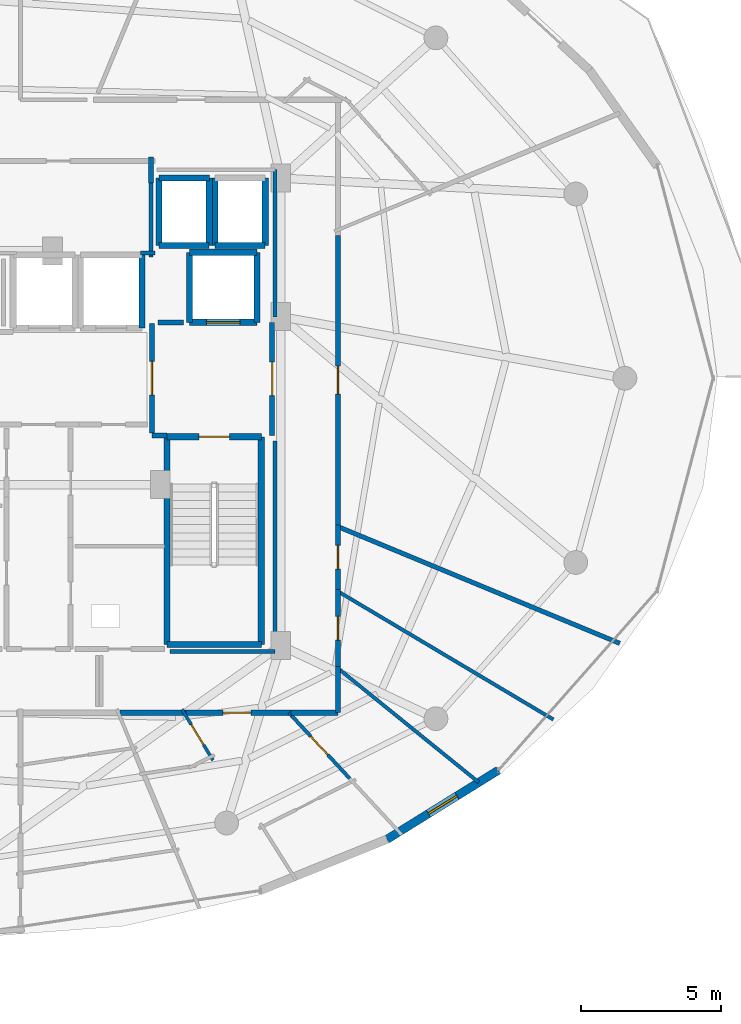
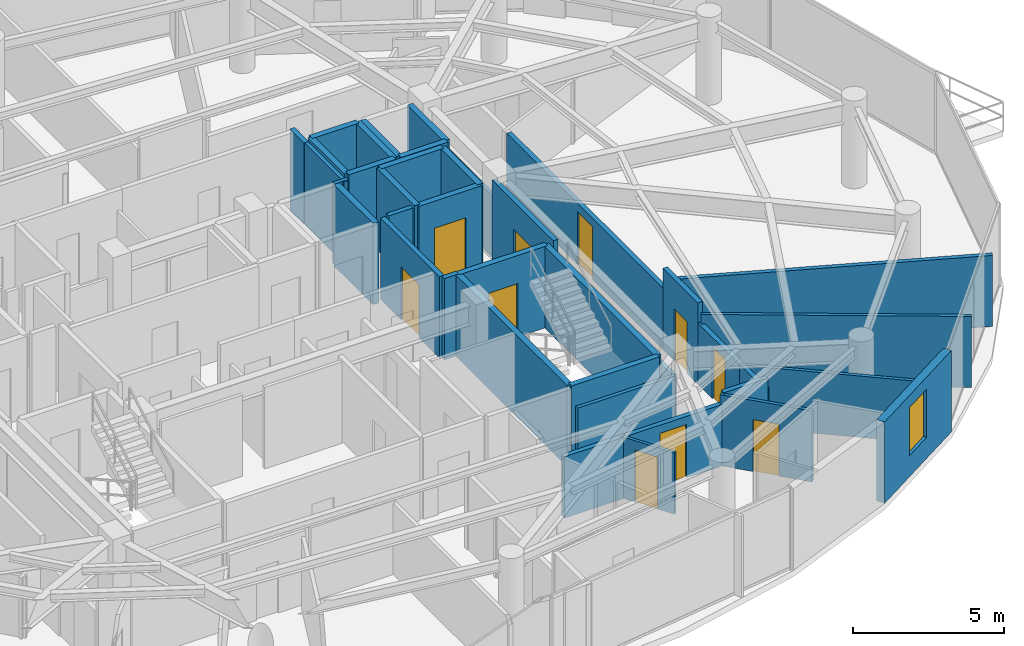
# One storey, part 27 of 32: 39 walls, 10 doors, 1 window, 11 openings.
"""IFC4 building model written with IfcOpenShell, lengths in metres."""

from ifc_helpers import new_model, si_unit, direction, frame, frame_2d, origin, place, context, subcontext, project, spatial, rectangle, extrude, material, layer, layer_set, type_object, element, fill, save


model = new_model("IFC4")

# Units and contexts
model_context = context("Model", 3, precision=1e-05, world=origin(), true_north=direction((0.0, 1.0)))
body_context = subcontext(model_context, "Body", "Model", "MODEL_VIEW")
ifc_project = project(units=[si_unit("LENGTHUNIT", "METRE"), si_unit("AREAUNIT", "SQUARE_METRE"), si_unit("VOLUMEUNIT", "CUBIC_METRE"), si_unit("PLANEANGLEUNIT", "RADIAN"), si_unit("MASSUNIT", "GRAM", prefix="KILO")], contexts=[model_context])

# Site, building, storey
site_placement = place(None, origin())
site = spatial("IfcSite", under=ifc_project, at=site_placement, CompositionType="ELEMENT")
building_placement = place(site_placement, origin())
building = spatial("IfcBuilding", under=site, at=building_placement, Name="Vorneva Point Tower", CompositionType="ELEMENT")
storey_placement = place(building_placement, frame((0.0, 0.0, 269.75)))
storey = spatial("IfcBuildingStorey", under=building, at=storey_placement, Name="L73", CompositionType="ELEMENT", Elevation=269.75)

# Wall, opening, door
ifc_material_1 = material(Name="Concrete B60 (C50/60)", Category="concrete")
ifc_layer_1 = layer(ifc_material_1, 0.35009765625)
ifc_layer_set_1 = layer_set([ifc_layer_1], Name="Concrete B60 (C50/60)")
wall_type_1 = type_object("IfcWallType", Name="WL-CORE-350", PredefinedType="SHEAR", material=ifc_layer_set_1)
wall_1_placement = place(storey_placement, frame((45.5, 28.0, 0.0), z_axis=(0.0, 0.0, 1.0), x_axis=(1.0, 0.0, 0.0)))
wall_1 = element("IfcWall", 1, at=wall_1_placement, inside=storey, type_object=wall_type_1, Name="L73 Lift FFL2 Shaft Wall -Y", PredefinedType="SHEAR", context=body_context, shape_type="SweptSolid", body=[
    extrude(rectangle(XDim=2.39990234375, YDim=0.219970703125, at=frame_2d((1.199951171875, 0.0))), origin(), (0.0, 0.0, 1.0), 3.2900390625),
])
opening_1_placement = place(wall_1_placement, frame((0.60009765625, 0.0, 0.0)))
opening_1 = element("IfcOpeningElement", 2, at=opening_1_placement, cuts=wall_1, Name="Opening LD-02", PredefinedType="OPENING", context=body_context, shape_type="SweptSolid", body=[
    extrude(rectangle(XDim=1.199951171875, YDim=2.199951171875, at=frame_2d((0.60009765625, 1.10009765625))), frame((0.0, 0.125, 0.0), z_axis=(0.0, -1.0, 0.0), x_axis=(1.0, 0.0, 0.0)), (0.0, 0.0, 1.0), 0.249755859375),
])
ifc_material_2 = material(Name="Brushed stainless steel S304", Category="steel")
door_type_1 = type_object("IfcDoorType", Name="LD-FIRE-1200", OperationType="SLIDING_TO_LEFT", PredefinedType="DOOR", material=ifc_material_2)
door_1_placement = place(opening_1_placement, origin())
door_1 = element("IfcDoor", 3, at=door_1_placement, inside=storey, type_object=door_type_1, Name="L73 Lift FFL2 Sliding Landing Door", OperationType="SLIDING_TO_LEFT", OverallHeight=2.199951171875, OverallWidth=1.199951171875, PredefinedType="DOOR", context=body_context, shape_type="SweptSolid", body=[
    extrude(rectangle(XDim=1.199951171875, YDim=2.199951171875, at=frame_2d((0.60009765625, 1.10009765625))), frame((0.0, 0.02490234375, 0.0), z_axis=(0.0, -1.0, 0.0), x_axis=(1.0, 0.0, 0.0)), (0.0, 0.0, 1.0), 0.050048828125),
])
fill(opening_1, door_1)

# Walls
wall_2_placement = place(storey_placement, frame((47.89990234375, 28.0, 0.0), z_axis=(0.0, 0.0, 1.0), x_axis=(0.0, 1.0, 0.0)))
element("IfcWall", 4, at=wall_2_placement, inside=storey, type_object=wall_type_1, Name="L73 Lift FFL2 Shaft Wall +X", PredefinedType="SHEAR", context=body_context, shape_type="SweptSolid", body=[
    extrude(rectangle(XDim=2.5, YDim=0.219970703125, at=frame_2d((1.25, 0.0))), origin(), (0.0, 0.0, 1.0), 3.2900390625),
])
wall_3_placement = place(storey_placement, frame((47.89990234375, 30.5, 0.0), z_axis=(0.0, 0.0, 1.0), x_axis=(-1.0, 0.0, 0.0)))
element("IfcWall", 5, at=wall_3_placement, inside=storey, type_object=wall_type_1, Name="L73 Lift FFL2 Shaft Wall +Y", PredefinedType="SHEAR", context=body_context, shape_type="SweptSolid", body=[
    extrude(rectangle(XDim=2.39990234375, YDim=0.219970703125, at=frame_2d((1.199951171875, 0.0))), origin(), (0.0, 0.0, 1.0), 3.2900390625),
])
wall_4_placement = place(storey_placement, frame((45.5, 30.5, 0.0), z_axis=(0.0, 0.0, 1.0), x_axis=(0.0, -1.0, 0.0)))
element("IfcWall", 6, at=wall_4_placement, inside=storey, type_object=wall_type_1, Name="L73 Lift FFL2 Shaft Wall -X", PredefinedType="SHEAR", context=body_context, shape_type="SweptSolid", body=[
    extrude(rectangle(XDim=2.5, YDim=0.219970703125, at=frame_2d((1.25, 0.0))), origin(), (0.0, 0.0, 1.0), 3.2900390625),
])

# Wall, opening, window
ifc_material_3 = material(Name="Precast concrete B50 (C40/50)", Category="concrete")
ifc_layer_2 = layer(ifc_material_3, 0.300048828125)
ifc_layer_set_2 = layer_set([ifc_layer_2], Name="Precast concrete B50 (C40/50)")
wall_type_2 = type_object("IfcWallType", Name="WL-EXT-300", PredefinedType="STANDARD", material=ifc_layer_set_2)
wall_5_placement = place(storey_placement, frame((52.555908203125, 9.528564453125, 0.0), z_axis=(0.0, 0.0, 1.0), x_axis=(0.849702323036, 0.527262707032, 0.0)))
wall_5 = element("IfcWall", 7, at=wall_5_placement, inside=storey, type_object=wall_type_2, Name="L73 Pale-Metal Facade Spandrel Wall 14.2", PredefinedType="STANDARD", context=body_context, shape_type="SweptSolid", body=[
    extrude(rectangle(XDim=4.67236328125, YDim=0.300048828125, at=frame_2d((2.336181640625, 0.0))), origin(), (0.0, 0.0, 1.0), 3.2900390625),
])
opening_2_placement = place(wall_5_placement, frame((1.736328125, 0.0, 0.85009765625)))
opening_2 = element("IfcOpeningElement", 8, at=opening_2_placement, cuts=wall_5, Name="Opening W-04", PredefinedType="OPENING", context=body_context, shape_type="SweptSolid", body=[
    extrude(rectangle(XDim=1.199951171875, YDim=1.949951171875, at=frame_2d((0.60009765625, 0.97509765625))), frame((0.0, 0.1650390625, 0.0), z_axis=(0.0, -1.0, 0.0), x_axis=(1.0, 0.0, 0.0)), (0.0, 0.0, 1.0), 0.329833984375),
])
ifc_material_4 = material(Name="Double low-e laminated glass IGU", Category="glass")
window_type = type_object("IfcWindowType", Name="WN-RES-1200", PartitioningType="SINGLE_PANEL", PredefinedType="WINDOW", material=ifc_material_4)
window_placement = place(opening_2_placement, origin())
window = element("IfcWindow", 9, at=window_placement, inside=storey, type_object=window_type, Name="L73 Dwelling Vision Window 03", OverallHeight=1.949951171875, OverallWidth=1.199951171875, PartitioningType="SINGLE_PANEL", PredefinedType="WINDOW", context=body_context, shape_type="SweptSolid", body=[
    extrude(rectangle(XDim=1.199951171875, YDim=1.949951171875, at=frame_2d((0.60009765625, 0.97509765625))), frame((0.0, 0.030029296875, 0.0), z_axis=(0.0, -1.0, 0.0), x_axis=(1.0, 0.0, 0.0)), (0.0, 0.0, 1.0), 0.06005859375),
])
fill(opening_2, window)

# Wall, opening, door
ifc_material_5 = material(Name="Fire-rated acoustic gypsum stud partition", Category="gypsum")
ifc_layer_3 = layer(ifc_material_5, 0.110107421875)
ifc_layer_set_3 = layer_set([ifc_layer_3], Name="Fire-rated acoustic gypsum stud partition")
wall_type_3 = type_object("IfcWallType", Name="WL-PART-110", PredefinedType="PARTITIONING", material=ifc_layer_set_3)
wall_6_placement = place(storey_placement, frame((45.22412109375, 14.16943359375, 0.0), z_axis=(0.0, 0.0, 1.0), x_axis=(0.52123627541, -0.853412412141, 0.0)))
wall_6 = element("IfcWall", 10, at=wall_6_placement, inside=storey, type_object=wall_type_3, Name="L73 Interior Partition 116", PredefinedType="PARTITIONING", context=body_context, shape_type="SweptSolid", body=[
    extrude(rectangle(XDim=2.12548828125, YDim=0.110107421875, at=frame_2d((1.062744140625, 0.0))), origin(), (0.0, 0.0, 1.0), 2.48193359375),
])
opening_3_placement = place(wall_6_placement, frame((0.6376953125, 0.0, 0.0)))
opening_3 = element("IfcOpeningElement", 11, at=opening_3_placement, cuts=wall_6, Name="Opening ID-02", PredefinedType="OPENING", context=body_context, shape_type="SweptSolid", body=[
    extrude(rectangle(XDim=0.85009765625, YDim=2.10009765625, at=frame_2d((0.425048828125, 1.050048828125))), frame((0.0, 0.06982421875, 0.0), z_axis=(0.0, -1.0, 0.0), x_axis=(1.0, 0.0, 0.0)), (0.0, 0.0, 1.0), 0.139892578125),
])
ifc_material_6 = material(Name="Engineered oak fire-rated door leaf", Category="wood")
door_type_2 = type_object("IfcDoorType", Name="DR-BATH-850", OperationType="NOTDEFINED", PredefinedType="DOOR", material=ifc_material_6)
door_2_placement = place(opening_3_placement, origin())
door_2 = element("IfcDoor", 12, at=door_2_placement, inside=storey, type_object=door_type_2, Name="L73 Door Living and Dining Room L73-07 / Bathroom L73-07", OperationType="SINGLE_SWING_RIGHT", OverallHeight=2.10009765625, OverallWidth=0.85009765625, PredefinedType="DOOR", context=body_context, shape_type="SweptSolid", body=[
    extrude(rectangle(XDim=0.85009765625, YDim=2.10009765625, at=frame_2d((0.425048828125, 1.050048828125))), frame((0.0, 0.02490234375, 0.0), z_axis=(0.0, -1.0, 0.0), x_axis=(1.0, 0.0, 0.0)), (0.0, 0.0, 1.0), 0.050048828125),
])
fill(opening_3, door_2)

ifc_layer_4 = layer(ifc_material_5, 0.125)
ifc_layer_set_4 = layer_set([ifc_layer_4], Name="Fire-rated acoustic gypsum stud partition")
wall_type_4 = type_object("IfcWallType", Name="WL-PART-125", PredefinedType="PARTITIONING", material=ifc_layer_set_4)
wall_7_placement = place(storey_placement, frame((51.21435546875, 11.7041015625, 0.0), z_axis=(0.0, 0.0, 1.0), x_axis=(-0.678781449794, 0.734340345763, 0.0)))
wall_7 = element("IfcWall", 13, at=wall_7_placement, inside=storey, type_object=wall_type_4, Name="L73 Interior Partition 122", PredefinedType="PARTITIONING", context=body_context, shape_type="SweptSolid", body=[
    extrude(rectangle(XDim=3.194580078125, YDim=0.125, at=frame_2d((1.59716796875, 0.0))), origin(), (0.0, 0.0, 1.0), 2.8740234375),
])
opening_4_placement = place(wall_7_placement, frame((1.147216796875, 0.0, 0.0)))
opening_4 = element("IfcOpeningElement", 14, at=opening_4_placement, cuts=wall_7, Name="Opening ID-01", PredefinedType="OPENING", context=body_context, shape_type="SweptSolid", body=[
    extrude(rectangle(XDim=0.89990234375, YDim=2.10009765625, at=frame_2d((0.449951171875, 1.050048828125))), frame((0.0, 0.077392578125, 0.0), z_axis=(0.0, -1.0, 0.0), x_axis=(1.0, 0.0, 0.0)), (0.0, 0.0, 1.0), 0.15478515625),
])
door_type_3 = type_object("IfcDoorType", Name="DR-ROOM-900", OperationType="NOTDEFINED", PredefinedType="DOOR", material=ifc_material_6)
door_3_placement = place(opening_4_placement, origin())
door_3 = element("IfcDoor", 15, at=door_3_placement, inside=storey, type_object=door_type_3, Name="L73 Door Living and Dining Room L73-07 / Master Bedroom L73-07.1", OperationType="SINGLE_SWING_RIGHT", OverallHeight=2.10009765625, OverallWidth=0.89990234375, PredefinedType="DOOR", context=body_context, shape_type="SweptSolid", body=[
    extrude(rectangle(XDim=0.89990234375, YDim=2.10009765625, at=frame_2d((0.449951171875, 1.050048828125))), frame((0.0, 0.02490234375, 0.0), z_axis=(0.0, -1.0, 0.0), x_axis=(1.0, 0.0, 0.0)), (0.0, 0.0, 1.0), 0.050048828125),
])
fill(opening_4, door_3)

# Walls
wall_8_placement = place(storey_placement, frame((55.827880859375, 11.56298828125, 0.0), z_axis=(0.0, 0.0, 1.0), x_axis=(-0.777103372697, 0.62937298015, 0.0)))
element("IfcWall", 16, at=wall_8_placement, inside=storey, type_object=wall_type_4, Name="L73 Interior Partition 123", PredefinedType="PARTITIONING", context=body_context, shape_type="SweptSolid", body=[
    extrude(rectangle(XDim=6.469970703125, YDim=0.125, at=frame_2d((3.23486328125, 0.0))), origin(), (0.0, 0.0, 1.0), 2.48193359375),
])
wall_9_placement = place(storey_placement, frame((58.492919921875, 13.80810546875, 0.0), z_axis=(0.0, 0.0, 1.0), x_axis=(-0.859400180079, 0.511303560011, 0.0)))
element("IfcWall", 17, at=wall_9_placement, inside=storey, type_object=wall_type_4, Name="L73 Interior Partition 124", PredefinedType="PARTITIONING", context=body_context, shape_type="SweptSolid", body=[
    extrude(rectangle(XDim=8.951416015625, YDim=0.125, at=frame_2d((4.4755859375, 0.0))), origin(), (0.0, 0.0, 1.0), 2.8740234375),
])
ifc_layer_5 = layer(ifc_material_5, 0.139892578125)
ifc_layer_set_5 = layer_set([ifc_layer_5], Name="Fire-rated acoustic gypsum stud partition")
wall_type_5 = type_object("IfcWallType", Name="WL-PART-140", PredefinedType="PARTITIONING", material=ifc_layer_set_5)
wall_10_placement = place(storey_placement, frame((43.735107421875, 30.47998046875, 0.0), z_axis=(0.0, 0.0, 1.0), x_axis=(1.0, 0.0, 0.0)))
element("IfcWall", 18, at=wall_10_placement, inside=storey, type_object=wall_type_5, Name="L73 Interior Closure Partition 129", PredefinedType="PARTITIONING", context=body_context, shape_type="SweptSolid", body=[
    extrude(rectangle(XDim=0.52490234375, YDim=0.139892578125, at=frame_2d((0.262451171875, 0.0))), origin(), (0.0, 0.0, 1.0), 3.2900390625),
])
wall_11_placement = place(storey_placement, frame((44.1201171875, 30.340087890625, 0.0), z_axis=(0.0, 0.0, 1.0), x_axis=(0.0, 1.0, 0.0)))
element("IfcWall", 19, at=wall_11_placement, inside=storey, type_object=wall_type_5, Name="L73 Interior Closure Partition 130", PredefinedType="PARTITIONING", context=body_context, shape_type="SweptSolid", body=[
    extrude(rectangle(XDim=2.659912109375, YDim=0.139892578125, at=frame_2d((1.330078125, 0.0))), origin(), (0.0, 0.0, 1.0), 3.2900390625),
])
wall_12_placement = place(storey_placement, frame((44.804931640625, 16.239990234375, 0.0), z_axis=(0.0, 0.0, 1.0), x_axis=(1.0, 0.0, 0.0)))
element("IfcWall", 20, at=wall_12_placement, inside=storey, type_object=wall_type_5, Name="L73 Interior Closure Partition 141", PredefinedType="PARTITIONING", context=body_context, shape_type="SweptSolid", body=[
    extrude(rectangle(XDim=3.7451171875, YDim=0.139892578125, at=frame_2d((1.87255859375, 0.0))), origin(), (0.0, 0.0, 1.0), 2.48193359375),
])
wall_13_placement = place(storey_placement, frame((48.550048828125, 16.239990234375, 0.0), z_axis=(0.0, 0.0, 1.0), x_axis=(0.0, 1.0, 0.0)))
element("IfcWall", 21, at=wall_13_placement, inside=storey, type_object=wall_type_5, Name="L73 Interior Closure Partition 142", PredefinedType="PARTITIONING", context=body_context, shape_type="SweptSolid", body=[
    extrude(rectangle(XDim=7.513916015625, YDim=0.139892578125, at=frame_2d((3.7568359375, 0.0))), origin(), (0.0, 0.0, 1.0), 2.48193359375),
])
wall_14_placement = place(storey_placement, frame((48.550048828125, 28.196044921875, 0.0), z_axis=(0.0, 0.0, 1.0), x_axis=(0.0, 1.0, 0.0)))
element("IfcWall", 22, at=wall_14_placement, inside=storey, type_object=wall_type_5, Name="L73 Interior Closure Partition 143", PredefinedType="PARTITIONING", context=body_context, shape_type="SweptSolid", body=[
    extrude(rectangle(XDim=5.25390625, YDim=0.139892578125, at=frame_2d((2.626953125, 0.0))), origin(), (0.0, 0.0, 1.0), 2.48193359375),
])
ifc_layer_6 = layer(ifc_material_5, 0.159912109375)
ifc_layer_set_6 = layer_set([ifc_layer_6], Name="Fire-rated acoustic gypsum stud partition")
wall_type_6 = type_object("IfcWallType", Name="WL-PART-160", PredefinedType="PARTITIONING", material=ifc_layer_set_6)
wall_15_placement = place(storey_placement, frame((60.866943359375, 16.528076171875, 0.0), z_axis=(0.0, 0.0, 1.0), x_axis=(-0.923877013663, 0.382689513347, 0.0)))
element("IfcWall", 23, at=wall_15_placement, inside=storey, type_object=wall_type_6, Name="L73 Interior Partition 125", PredefinedType="PARTITIONING", context=body_context, shape_type="SweptSolid", body=[
    extrude(rectangle(XDim=10.896240234375, YDim=0.159912109375, at=frame_2d((5.4482421875, 0.0))), origin(), (0.0, 0.0, 1.0), 2.8740234375),
])

# Wall, opening, door
ifc_material_7 = material(Name="Autoclaved aerated concrete blockwork", Category="masonry")
ifc_layer_7 = layer(ifc_material_7, 0.179931640625)
ifc_layer_set_7 = layer_set([ifc_layer_7], Name="Autoclaved aerated concrete blockwork")
wall_type_7 = type_object("IfcWallType", Name="WL-PART-180", PredefinedType="PARTITIONING", material=ifc_layer_set_7)
wall_16_placement = place(storey_placement, frame((44.14990234375, 27.955078125, 0.0), z_axis=(0.0, 0.0, 1.0), x_axis=(0.0, -1.0, 0.0)))
wall_16 = element("IfcWall", 24, at=wall_16_placement, inside=storey, type_object=wall_type_7, Name="L73 Interior Partition 003", PredefinedType="PARTITIONING", context=body_context, shape_type="SweptSolid", body=[
    extrude(rectangle(XDim=3.91015625, YDim=0.179931640625, at=frame_2d((1.955078125, 0.0))), origin(), (0.0, 0.0, 1.0), 3.2900390625),
])
opening_5_placement = place(wall_16_placement, frame((1.35498046875, 0.0, 0.0)))
opening_5 = element("IfcOpeningElement", 25, at=opening_5_placement, cuts=wall_16, Name="Opening FD-02", PredefinedType="OPENING", context=body_context, shape_type="SweptSolid", body=[
    extrude(rectangle(XDim=1.199951171875, YDim=2.14990234375, at=frame_2d((0.60009765625, 1.074951171875))), frame((0.0, 0.10498046875, 0.0), z_axis=(0.0, -1.0, 0.0), x_axis=(1.0, 0.0, 0.0)), (0.0, 0.0, 1.0), 0.209716796875),
])
ifc_material_8 = material(Name="Fire-rated powder-coated steel", Category="steel")
door_type_4 = type_object("IfcDoorType", Name="DR-FFL-1200", OperationType="NOTDEFINED", PredefinedType="DOOR", material=ifc_material_8)
door_4_placement = place(opening_5_placement, origin())
door_4 = element("IfcDoor", 26, at=door_4_placement, inside=storey, type_object=door_type_4, Name="L73 Door East Firefighting Lobby / Central Lift Lobby", OperationType="SINGLE_SWING_RIGHT", OverallHeight=2.14990234375, OverallWidth=1.199951171875, PredefinedType="DOOR", context=body_context, shape_type="SweptSolid", body=[
    extrude(rectangle(XDim=1.199951171875, YDim=2.14990234375, at=frame_2d((0.60009765625, 1.074951171875))), frame((0.0, 0.02490234375, 0.0), z_axis=(0.0, -1.0, 0.0), x_axis=(1.0, 0.0, 0.0)), (0.0, 0.0, 1.0), 0.050048828125),
])
fill(opening_5, door_4)

# Wall
wall_17_placement = place(storey_placement, frame((44.14990234375, 23.949951171875, 0.0), z_axis=(0.0, 0.0, 1.0), x_axis=(1.0, 0.0, 0.0)))
element("IfcWall", 27, at=wall_17_placement, inside=storey, type_object=wall_type_7, Name="L73 Interior Partition 004", PredefinedType="PARTITIONING", context=body_context, shape_type="SweptSolid", body=[
    extrude(rectangle(XDim=0.5400390625, YDim=0.179931640625, at=frame_2d((0.27001953125, 0.0))), origin(), (0.0, 0.0, 1.0), 3.2900390625),
])

# Wall, opening, door
wall_18_placement = place(storey_placement, frame((48.449951171875, 23.949951171875, 0.0), z_axis=(0.0, 0.0, 1.0), x_axis=(0.0, 1.0, 0.0)))
wall_18 = element("IfcWall", 28, at=wall_18_placement, inside=storey, type_object=wall_type_7, Name="L73 Interior Partition 005", PredefinedType="PARTITIONING", context=body_context, shape_type="SweptSolid", body=[
    extrude(rectangle(XDim=4.050048828125, YDim=0.179931640625, at=frame_2d((2.02490234375, 0.0))), origin(), (0.0, 0.0, 1.0), 3.2900390625),
])
opening_6_placement = place(wall_18_placement, frame((1.425048828125, 0.0, 0.0)))
opening_6 = element("IfcOpeningElement", 29, at=opening_6_placement, cuts=wall_18, Name="Opening FD-02", PredefinedType="OPENING", context=body_context, shape_type="SweptSolid", body=[
    extrude(rectangle(XDim=1.199951171875, YDim=2.14990234375, at=frame_2d((0.60009765625, 1.074951171875))), frame((0.0, 0.10498046875, 0.0), z_axis=(0.0, -1.0, 0.0), x_axis=(1.0, 0.0, 0.0)), (0.0, 0.0, 1.0), 0.209716796875),
])
door_5_placement = place(opening_6_placement, origin())
door_5 = element("IfcDoor", 30, at=door_5_placement, inside=storey, type_object=door_type_4, Name="L73 Door East Firefighting Lobby / L73 Circulation Corridor", OperationType="SINGLE_SWING_LEFT", OverallHeight=2.14990234375, OverallWidth=1.199951171875, PredefinedType="DOOR", context=body_context, shape_type="SweptSolid", body=[
    extrude(rectangle(XDim=1.199951171875, YDim=2.14990234375, at=frame_2d((0.60009765625, 1.074951171875))), frame((0.0, 0.02490234375, 0.0), z_axis=(0.0, -1.0, 0.0), x_axis=(1.0, 0.0, 0.0)), (0.0, 0.0, 1.0), 0.050048828125),
])
fill(opening_6, door_5)

# Wall
wall_19_placement = place(storey_placement, frame((44.1201171875, 32.969970703125, 0.0), z_axis=(0.0, 0.0, 1.0), x_axis=(0.0, 1.0, 0.0)))
element("IfcWall", 31, at=wall_19_placement, inside=storey, type_object=wall_type_7, Name="L73 Interior Partition 027", PredefinedType="PARTITIONING", context=body_context, shape_type="SweptSolid", body=[
    extrude(rectangle(XDim=0.929931640625, YDim=0.179931640625, at=frame_2d((0.46484375, 0.0))), origin(), (0.0, 0.0, 1.0), 3.2900390625),
])

# Wall, opening, door
wall_20_placement = place(storey_placement, frame((45.237060546875, 14.050048828125, 0.0), z_axis=(0.0, 0.0, 1.0), x_axis=(1.0, 0.0, 0.0)))
wall_20 = element("IfcWall", 32, at=wall_20_placement, inside=storey, type_object=wall_type_7, Name="L73 Interior Partition 058", PredefinedType="PARTITIONING", context=body_context, shape_type="SweptSolid", body=[
    extrude(rectangle(XDim=3.890869140625, YDim=0.179931640625, at=frame_2d((1.9453125, 0.0))), origin(), (0.0, 0.0, 1.0), 2.48193359375),
])
opening_7_placement = place(wall_20_placement, frame((1.445556640625, 0.0, 0.0)))
opening_7 = element("IfcOpeningElement", 33, at=opening_7_placement, cuts=wall_20, Name="Opening UD-01", PredefinedType="OPENING", context=body_context, shape_type="SweptSolid", body=[
    extrude(rectangle(XDim=1.0, YDim=2.14990234375, at=frame_2d((0.5, 1.074951171875))), frame((0.0, 0.10498046875, 0.0), z_axis=(0.0, -1.0, 0.0), x_axis=(1.0, 0.0, 0.0)), (0.0, 0.0, 1.0), 0.209716796875),
])
door_type_5 = type_object("IfcDoorType", Name="DR-UNIT-1000", OperationType="NOTDEFINED", PredefinedType="DOOR", material=ifc_material_6)
door_6_placement = place(opening_7_placement, origin())
door_6 = element("IfcDoor", 34, at=door_6_placement, inside=storey, type_object=door_type_5, Name="L73 Door L73 Circulation Corridor / Living and Dining Room L73-07", OperationType="SINGLE_SWING_LEFT", OverallHeight=2.14990234375, OverallWidth=1.0, PredefinedType="DOOR", context=body_context, shape_type="SweptSolid", body=[
    extrude(rectangle(XDim=1.0, YDim=2.14990234375, at=frame_2d((0.5, 1.074951171875))), frame((0.0, 0.02490234375, 0.0), z_axis=(0.0, -1.0, 0.0), x_axis=(1.0, 0.0, 0.0)), (0.0, 0.0, 1.0), 0.050048828125),
])
fill(opening_7, door_6)

# Walls
wall_21_placement = place(storey_placement, frame((43.014892578125, 14.050048828125, 0.0), z_axis=(0.0, 0.0, 1.0), x_axis=(1.0, 0.0, 0.0)))
element("IfcWall", 35, at=wall_21_placement, inside=storey, type_object=wall_type_7, Name="L73 Interior Partition 059", PredefinedType="PARTITIONING", context=body_context, shape_type="SweptSolid", body=[
    extrude(rectangle(XDim=2.362060546875, YDim=0.179931640625, at=frame_2d((1.18115234375, 0.0))), origin(), (0.0, 0.0, 1.0), 2.48193359375),
])
wall_22_placement = place(storey_placement, frame((49.1279296875, 14.050048828125, 0.0), z_axis=(0.0, 0.0, 1.0), x_axis=(1.0, 0.0, 0.0)))
element("IfcWall", 36, at=wall_22_placement, inside=storey, type_object=wall_type_7, Name="L73 Interior Partition 060", PredefinedType="PARTITIONING", context=body_context, shape_type="SweptSolid", body=[
    extrude(rectangle(XDim=1.672119140625, YDim=0.179931640625, at=frame_2d((0.8359375, 0.0))), origin(), (0.0, 0.0, 1.0), 2.93603515625),
])
wall_23_placement = place(storey_placement, frame((50.800048828125, 14.050048828125, 0.0), z_axis=(0.0, 0.0, 1.0), x_axis=(0.0, 1.0, 0.0)))
element("IfcWall", 37, at=wall_23_placement, inside=storey, type_object=wall_type_7, Name="L73 Interior Partition 061", PredefinedType="PARTITIONING", context=body_context, shape_type="SweptSolid", body=[
    extrude(rectangle(XDim=1.64501953125, YDim=0.179931640625, at=frame_2d((0.822509765625, 0.0))), origin(), (0.0, 0.0, 1.0), 2.48193359375),
])

# Wall, opening, door
wall_24_placement = place(storey_placement, frame((50.800048828125, 15.695068359375, 0.0), z_axis=(0.0, 0.0, 1.0), x_axis=(0.0, 1.0, 0.0)))
wall_24 = element("IfcWall", 38, at=wall_24_placement, inside=storey, type_object=wall_type_7, Name="L73 Interior Partition 062", PredefinedType="PARTITIONING", context=body_context, shape_type="SweptSolid", body=[
    extrude(rectangle(XDim=2.75, YDim=0.179931640625, at=frame_2d((1.375, 0.0))), origin(), (0.0, 0.0, 1.0), 2.48193359375),
])
opening_8_placement = place(wall_24_placement, frame((0.949951171875, 0.0, 0.0)))
opening_8 = element("IfcOpeningElement", 39, at=opening_8_placement, cuts=wall_24, Name="Opening ID-02", PredefinedType="OPENING", context=body_context, shape_type="SweptSolid", body=[
    extrude(rectangle(XDim=0.85009765625, YDim=2.10009765625, at=frame_2d((0.425048828125, 1.050048828125))), frame((0.0, 0.10498046875, 0.0), z_axis=(0.0, -1.0, 0.0), x_axis=(1.0, 0.0, 0.0)), (0.0, 0.0, 1.0), 0.209716796875),
])
door_7_placement = place(opening_8_placement, origin())
door_7 = element("IfcDoor", 40, at=door_7_placement, inside=storey, type_object=door_type_2, Name="L73 Access Door L73 Circulation Corridor", OperationType="SINGLE_SWING_LEFT", OverallHeight=2.10009765625, OverallWidth=0.85009765625, PredefinedType="DOOR", context=body_context, shape_type="SweptSolid", body=[
    extrude(rectangle(XDim=0.85009765625, YDim=2.10009765625, at=frame_2d((0.425048828125, 1.050048828125))), frame((0.0, 0.02490234375, 0.0), z_axis=(0.0, -1.0, 0.0), x_axis=(1.0, 0.0, 0.0)), (0.0, 0.0, 1.0), 0.050048828125),
])
fill(opening_8, door_7)

wall_25_placement = place(storey_placement, frame((50.800048828125, 18.445068359375, 0.0), z_axis=(0.0, 0.0, 1.0), x_axis=(0.0, 1.0, 0.0)))
wall_25 = element("IfcWall", 41, at=wall_25_placement, inside=storey, type_object=wall_type_7, Name="L73 Interior Partition 063", PredefinedType="PARTITIONING", context=body_context, shape_type="SweptSolid", body=[
    extrude(rectangle(XDim=2.31298828125, YDim=0.179931640625, at=frame_2d((1.156494140625, 0.0))), origin(), (0.0, 0.0, 1.0), 3.2900390625),
])
opening_9_placement = place(wall_25_placement, frame((0.7314453125, 0.0, 0.0)))
opening_9 = element("IfcOpeningElement", 42, at=opening_9_placement, cuts=wall_25, Name="Opening ID-02", PredefinedType="OPENING", context=body_context, shape_type="SweptSolid", body=[
    extrude(rectangle(XDim=0.85009765625, YDim=2.10009765625, at=frame_2d((0.425048828125, 1.050048828125))), frame((0.0, 0.10498046875, 0.0), z_axis=(0.0, -1.0, 0.0), x_axis=(1.0, 0.0, 0.0)), (0.0, 0.0, 1.0), 0.209716796875),
])
door_8_placement = place(opening_9_placement, origin())
door_8 = element("IfcDoor", 43, at=door_8_placement, inside=storey, type_object=door_type_2, Name="L73 Access Door L73 Circulation Corridor", OperationType="SINGLE_SWING_RIGHT", OverallHeight=2.10009765625, OverallWidth=0.85009765625, PredefinedType="DOOR", context=body_context, shape_type="SweptSolid", body=[
    extrude(rectangle(XDim=0.85009765625, YDim=2.10009765625, at=frame_2d((0.425048828125, 1.050048828125))), frame((0.0, 0.02490234375, 0.0), z_axis=(0.0, -1.0, 0.0), x_axis=(1.0, 0.0, 0.0)), (0.0, 0.0, 1.0), 0.050048828125),
])
fill(opening_9, door_8)

wall_26_placement = place(storey_placement, frame((50.800048828125, 20.758056640625, 0.0), z_axis=(0.0, 0.0, 1.0), x_axis=(0.0, 1.0, 0.0)))
wall_26 = element("IfcWall", 44, at=wall_26_placement, inside=storey, type_object=wall_type_7, Name="L73 Interior Partition 064", PredefinedType="PARTITIONING", context=body_context, shape_type="SweptSolid", body=[
    extrude(rectangle(XDim=10.343994140625, YDim=0.179931640625, at=frame_2d((5.171875, 0.0))), origin(), (0.0, 0.0, 1.0), 2.48193359375),
])
opening_10_placement = place(wall_26_placement, frame((4.672119140625, 0.0, 0.0)))
opening_10 = element("IfcOpeningElement", 45, at=opening_10_placement, cuts=wall_26, Name="Opening UD-01", PredefinedType="OPENING", context=body_context, shape_type="SweptSolid", body=[
    extrude(rectangle(XDim=1.0, YDim=2.14990234375, at=frame_2d((0.5, 1.074951171875))), frame((0.0, 0.10498046875, 0.0), z_axis=(0.0, -1.0, 0.0), x_axis=(1.0, 0.0, 0.0)), (0.0, 0.0, 1.0), 0.209716796875),
])
door_9_placement = place(opening_10_placement, origin())
door_9 = element("IfcDoor", 46, at=door_9_placement, inside=storey, type_object=door_type_5, Name="L73 Door L73 Circulation Corridor / Residents Fitness Studio L73-08", OperationType="SINGLE_SWING_RIGHT", OverallHeight=2.14990234375, OverallWidth=1.0, PredefinedType="DOOR", context=body_context, shape_type="SweptSolid", body=[
    extrude(rectangle(XDim=1.0, YDim=2.14990234375, at=frame_2d((0.5, 1.074951171875))), frame((0.0, 0.02490234375, 0.0), z_axis=(0.0, -1.0, 0.0), x_axis=(1.0, 0.0, 0.0)), (0.0, 0.0, 1.0), 0.050048828125),
])
fill(opening_10, door_9)

# Wall
wall_27_placement = place(storey_placement, frame((45.280029296875, 28.0, 0.0), z_axis=(0.0, 0.0, 1.0), x_axis=(-1.0, 0.0, 0.0)))
element("IfcWall", 47, at=wall_27_placement, inside=storey, type_object=wall_type_7, Name="L73 Interior Closure Partition 127", PredefinedType="PARTITIONING", context=body_context, shape_type="SweptSolid", body=[
    extrude(rectangle(XDim=0.9150390625, YDim=0.179931640625, at=frame_2d((0.45751953125, 0.0))), origin(), (0.0, 0.0, 1.0), 3.2900390625),
])

# Wall, opening, door
ifc_material_9 = material(Name="Concrete B50 (C40/50)", Category="concrete")
ifc_layer_8 = layer(ifc_material_9, 0.219970703125)
ifc_layer_set_8 = layer_set([ifc_layer_8], Name="Concrete B50 (C40/50)")
wall_type_8 = type_object("IfcWallType", Name="WL-SHFT-220", PredefinedType="SOLIDWALL", material=ifc_layer_set_8)
wall_28_placement = place(storey_placement, frame((44.68994140625, 23.909912109375, 0.0), z_axis=(0.0, 0.0, 1.0), x_axis=(1.0, 0.0, 0.0)))
wall_28 = element("IfcWall", 48, at=wall_28_placement, inside=storey, type_object=wall_type_8, Name="L73 Exit Stair ST2 Shaft Wall near", PredefinedType="SOLIDWALL", context=body_context, shape_type="SweptSolid", body=[
    extrude(rectangle(XDim=3.3701171875, YDim=0.219970703125, at=frame_2d((1.68505859375, 0.0))), origin(), (0.0, 0.0, 1.0), 3.2900390625),
])
opening_11_placement = place(wall_28_placement, frame((1.135009765625, 0.0, 0.0)))
opening_11 = element("IfcOpeningElement", 49, at=opening_11_placement, cuts=wall_28, Name="Opening FD-01", PredefinedType="OPENING", context=body_context, shape_type="SweptSolid", body=[
    extrude(rectangle(XDim=1.10009765625, YDim=2.14990234375, at=frame_2d((0.550048828125, 1.074951171875))), frame((0.0, 0.125, 0.0), z_axis=(0.0, -1.0, 0.0), x_axis=(1.0, 0.0, 0.0)), (0.0, 0.0, 1.0), 0.249755859375),
])
door_type_6 = type_object("IfcDoorType", Name="DR-STAIR-1100", OperationType="NOTDEFINED", PredefinedType="DOOR", material=ifc_material_8)
door_10_placement = place(opening_11_placement, origin())
door_10 = element("IfcDoor", 50, at=door_10_placement, inside=storey, type_object=door_type_6, Name="L73 Exit Stair ST2 Fire Door", OperationType="SINGLE_SWING_RIGHT", OverallHeight=2.14990234375, OverallWidth=1.10009765625, PredefinedType="DOOR", context=body_context, shape_type="SweptSolid", body=[
    extrude(rectangle(XDim=1.10009765625, YDim=2.14990234375, at=frame_2d((0.550048828125, 1.074951171875))), frame((0.0, 0.02490234375, 0.0), z_axis=(0.0, -1.0, 0.0), x_axis=(1.0, 0.0, 0.0)), (0.0, 0.0, 1.0), 0.050048828125),
])
fill(opening_11, door_10)

# Walls
wall_29_placement = place(storey_placement, frame((48.06005859375, 23.909912109375, 0.0), z_axis=(0.0, 0.0, 1.0), x_axis=(0.0, -1.0, 0.0)))
element("IfcWall", 51, at=wall_29_placement, inside=storey, type_object=wall_type_8, Name="L73 Exit Stair ST2 Shaft Wall right", PredefinedType="SOLIDWALL", context=body_context, shape_type="SweptSolid", body=[
    extrude(rectangle(XDim=7.419921875, YDim=0.219970703125, at=frame_2d((3.7099609375, 0.0))), origin(), (0.0, 0.0, 1.0), 3.2900390625),
])
wall_30_placement = place(storey_placement, frame((48.06005859375, 16.489990234375, 0.0), z_axis=(0.0, 0.0, 1.0), x_axis=(-1.0, 0.0, 0.0)))
element("IfcWall", 52, at=wall_30_placement, inside=storey, type_object=wall_type_8, Name="L73 Exit Stair ST2 Shaft Wall far", PredefinedType="SOLIDWALL", context=body_context, shape_type="SweptSolid", body=[
    extrude(rectangle(XDim=3.3701171875, YDim=0.219970703125, at=frame_2d((1.68505859375, 0.0))), origin(), (0.0, 0.0, 1.0), 3.2900390625),
])
wall_31_placement = place(storey_placement, frame((44.68994140625, 16.489990234375, 0.0), z_axis=(0.0, 0.0, 1.0), x_axis=(0.0, 1.0, 0.0)))
element("IfcWall", 53, at=wall_31_placement, inside=storey, type_object=wall_type_8, Name="L73 Exit Stair ST2 Shaft Wall left", PredefinedType="SOLIDWALL", context=body_context, shape_type="SweptSolid", body=[
    extrude(rectangle(XDim=7.419921875, YDim=0.219970703125, at=frame_2d((3.7099609375, 0.0))), origin(), (0.0, 0.0, 1.0), 3.2900390625),
])
wall_32_placement = place(storey_placement, frame((43.800048828125, 27.800048828125, 0.0), z_axis=(0.0, 0.0, 1.0), x_axis=(0.0, 1.0, 0.0)))
element("IfcWall", 54, at=wall_32_placement, inside=storey, type_object=wall_type_8, Name="L73 Lift PL8 Shaft Wall +X", PredefinedType="SOLIDWALL", context=body_context, shape_type="SweptSolid", body=[
    extrude(rectangle(XDim=2.599853515625, YDim=0.219970703125, at=frame_2d((1.2998046875, 0.0))), origin(), (0.0, 0.0, 1.0), 3.2900390625),
])
wall_33_placement = place(storey_placement, frame((44.39990234375, 30.739990234375, 0.0), z_axis=(0.0, 0.0, 1.0), x_axis=(1.0, 0.0, 0.0)))
element("IfcWall", 55, at=wall_33_placement, inside=storey, type_object=wall_type_8, Name="L73 Lift EX1 Shaft Wall -Y", PredefinedType="SOLIDWALL", context=body_context, shape_type="SweptSolid", body=[
    extrude(rectangle(XDim=1.800048828125, YDim=0.219970703125, at=frame_2d((0.89990234375, 0.0))), origin(), (0.0, 0.0, 1.0), 3.2900390625),
])
wall_34_placement = place(storey_placement, frame((46.199951171875, 30.739990234375, 0.0), z_axis=(0.0, 0.0, 1.0), x_axis=(0.0, 1.0, 0.0)))
element("IfcWall", 56, at=wall_34_placement, inside=storey, type_object=wall_type_8, Name="L73 Lift EX1 Shaft Wall +X", PredefinedType="SOLIDWALL", context=body_context, shape_type="SweptSolid", body=[
    extrude(rectangle(XDim=2.419921875, YDim=0.219970703125, at=frame_2d((1.2099609375, 0.0))), origin(), (0.0, 0.0, 1.0), 3.2900390625),
])
wall_35_placement = place(storey_placement, frame((46.199951171875, 33.159912109375, 0.0), z_axis=(0.0, 0.0, 1.0), x_axis=(-1.0, 0.0, 0.0)))
element("IfcWall", 57, at=wall_35_placement, inside=storey, type_object=wall_type_8, Name="L73 Lift EX1 Shaft Wall +Y", PredefinedType="SOLIDWALL", context=body_context, shape_type="SweptSolid", body=[
    extrude(rectangle(XDim=1.800048828125, YDim=0.219970703125, at=frame_2d((0.89990234375, 0.0))), origin(), (0.0, 0.0, 1.0), 3.2900390625),
])
wall_36_placement = place(storey_placement, frame((44.39990234375, 33.159912109375, 0.0), z_axis=(0.0, 0.0, 1.0), x_axis=(0.0, -1.0, 0.0)))
element("IfcWall", 58, at=wall_36_placement, inside=storey, type_object=wall_type_8, Name="L73 Lift EX1 Shaft Wall -X", PredefinedType="SOLIDWALL", context=body_context, shape_type="SweptSolid", body=[
    extrude(rectangle(XDim=2.419921875, YDim=0.219970703125, at=frame_2d((1.2099609375, 0.0))), origin(), (0.0, 0.0, 1.0), 3.2900390625),
])
wall_37_placement = place(storey_placement, frame((46.39990234375, 30.739990234375, 0.0), z_axis=(0.0, 0.0, 1.0), x_axis=(1.0, 0.0, 0.0)))
element("IfcWall", 59, at=wall_37_placement, inside=storey, type_object=wall_type_8, Name="L73 Lift EX2 Shaft Wall -Y", PredefinedType="SOLIDWALL", context=body_context, shape_type="SweptSolid", body=[
    extrude(rectangle(XDim=1.800048828125, YDim=0.219970703125, at=frame_2d((0.89990234375, 0.0))), origin(), (0.0, 0.0, 1.0), 3.2900390625),
])
for number, where, z_axis, x_axis, name in (
    (60, (48.199951171875, 30.739990234375, 0.0), (0.0, 0.0, 1.0), (0.0, 1.0, 0.0), "L73 Lift EX2 Shaft Wall +X"),
    (61, (46.39990234375, 33.159912109375, 0.0), (0.0, 0.0, 1.0), (0.0, -1.0, 0.0), "L73 Lift EX2 Shaft Wall -X"),
):
    element("IfcWall", number, at=place(storey_placement, frame(where, z_axis=z_axis, x_axis=x_axis)), inside=storey, type_object=wall_type_8, Name=name, PredefinedType="SOLIDWALL", context=body_context, shape_type="SweptSolid", body=[
        extrude(rectangle(XDim=2.419921875, YDim=0.219970703125, at=frame_2d((1.2099609375, 0.0))), origin(), (0.0, 0.0, 1.0), 3.2900390625),
    ])

save(model, "model.ifc")
